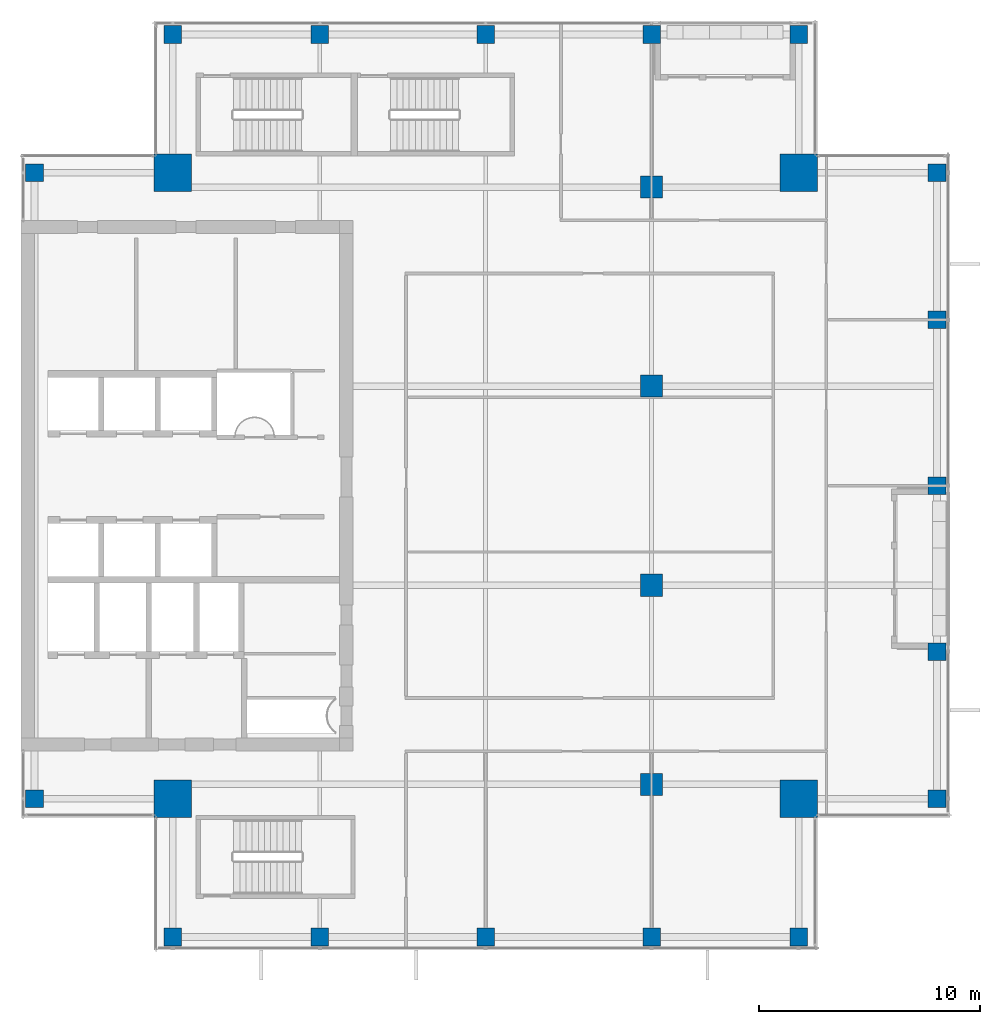
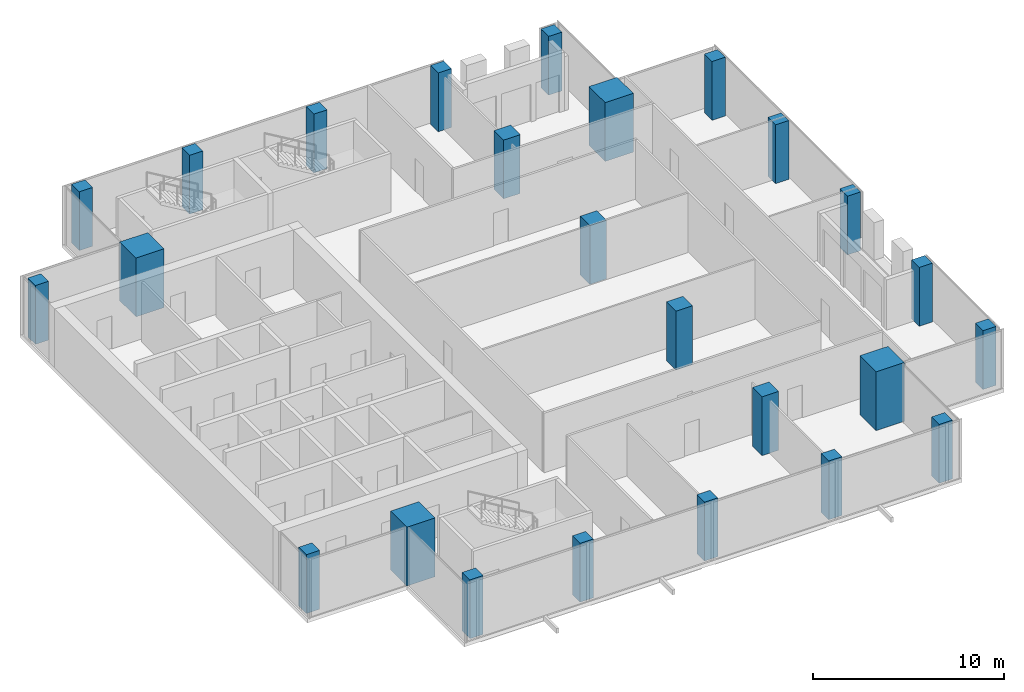
# One storey, part 1 of 29: 25 columns.
"""IFC4 building model written with IfcOpenShell, lengths in metres."""

from ifc_helpers import new_model, si_unit, direction, frame, origin, origin_2d, place, context, subcontext, project, spatial, rectangle, extrude, source, transform, mapped, material, material_profile, profile_set, type_object, element, save


model = new_model("IFC4")

# Units and contexts
model_context = context("Model", 3, precision=1e-05, world=origin(), true_north=direction((0.0, 1.0)))
body_context = subcontext(model_context, "Body", "Model", "MODEL_VIEW")
ifc_project = project(units=[si_unit("LENGTHUNIT", "METRE"), si_unit("AREAUNIT", "SQUARE_METRE"), si_unit("VOLUMEUNIT", "CUBIC_METRE"), si_unit("PLANEANGLEUNIT", "RADIAN"), si_unit("MASSUNIT", "GRAM", prefix="KILO")], contexts=[model_context])

# Site, building, storey
site_placement = place(None, origin())
site = spatial("IfcSite", under=ifc_project, at=site_placement, CompositionType="ELEMENT")
building_placement = place(site_placement, origin())
building = spatial("IfcBuilding", under=site, at=building_placement, Name="Khomas Fold Tower", CompositionType="ELEMENT")
storey_placement = place(building_placement, frame((0.0, 0.0, 290.199951171875)))
storey = spatial("IfcBuildingStorey", under=building, at=storey_placement, Name="L65", CompositionType="ELEMENT", Elevation=290.199951171875)

# Columns
ifc_material_1 = material(Name="Concrete C50/60", Category="concrete")
ifc_material_profile_1 = material_profile(ifc_material_1, rectangle(XDim=1.0, YDim=1.0, at=origin_2d()), Name="RC 1000x1000")
ifc_profile_set_1 = profile_set([ifc_material_profile_1], Name="Concrete C50/60")
column_type_1 = type_object("IfcColumnType", Name="RC 1000x1000 column", PredefinedType="COLUMN", material=ifc_profile_set_1)
shared_shape_1 = source(origin(), body_context, "Body", "SweptSolid", [
    extrude(rectangle(XDim=1.0, YDim=1.0, at=origin_2d()), origin(), (0.0, 0.0, 1.0), 3.75),
])
for number, where, z_axis, x_axis, name in (
    (1, (34.5, 13.5, 0.0), (0.0, 0.0, 1.0), (1.0, 0.0, 0.0), "C-10-H"),
    (2, (34.5, 22.5, 0.0), (0.0, 0.0, 1.0), (1.0, 0.0, 0.0), "C-10-K"),
    (3, (34.5, 31.5, 0.0), (0.0, 0.0, 1.0), (1.0, 0.0, 0.0), "C-10-M"),
    (4, (34.5, 40.5, 0.0), (0.0, 0.0, 1.0), (1.0, 0.0, 0.0), "C-10-P"),
):
    element("IfcColumn", number, at=place(storey_placement, frame(where, z_axis=z_axis, x_axis=x_axis)), inside=storey, type_object=column_type_1, Name=name, PredefinedType="COLUMN", context=body_context, shape_type="MappedRepresentation", body=[
        mapped(shared_shape_1, transform((0.0, 0.0, 0.0))),
    ])
ifc_material_2 = material(Name="Concrete C60/75", Category="concrete")
ifc_material_profile_2 = material_profile(ifc_material_2, rectangle(XDim=1.699951171875, YDim=1.699951171875, at=origin_2d()), Name="RC 1700x1700")
ifc_profile_set_2 = profile_set([ifc_material_profile_2], Name="Concrete C60/75")
column_type_2 = type_object("IfcColumnType", Name="RC 1700x1700 column", PredefinedType="COLUMN", material=ifc_profile_set_2)
shared_shape_2 = source(origin(), body_context, "Body", "SweptSolid", [
    extrude(rectangle(XDim=1.699951171875, YDim=1.699951171875, at=origin_2d()), origin(), (0.0, 0.0, 1.0), 3.75),
])
for number, where, z_axis, x_axis, name in (
    (5, (41.14990234375, 41.14990234375, 0.0), (0.0, 0.0, 1.0), (1.0, 0.0, 0.0), "CM-NE"),
    (6, (12.85009765625, 41.14990234375, 0.0), (0.0, 0.0, 1.0), (1.0, 0.0, 0.0), "CM-NW"),
    (7, (41.14990234375, 12.85009765625, 0.0), (0.0, 0.0, 1.0), (1.0, 0.0, 0.0), "CM-SE"),
    (8, (12.85009765625, 12.85009765625, 0.0), (0.0, 0.0, 1.0), (1.0, 0.0, 0.0), "CM-SW"),
):
    element("IfcColumn", number, at=place(storey_placement, frame(where, z_axis=z_axis, x_axis=x_axis)), inside=storey, type_object=column_type_2, Name=name, PredefinedType="COLUMN", context=body_context, shape_type="MappedRepresentation", body=[
        mapped(shared_shape_2, transform((0.0, 0.0, 0.0))),
    ])
ifc_material_3 = material(Name="Concrete C50/60", Category="concrete")
ifc_material_profile_3 = material_profile(ifc_material_3, rectangle(XDim=0.800048828125, YDim=0.800048828125, at=origin_2d()), Name="RC 800x800")
ifc_profile_set_3 = profile_set([ifc_material_profile_3], Name="Concrete C50/60")
column_type_3 = type_object("IfcColumnType", Name="RC 800x800 column", PredefinedType="COLUMN", material=ifc_profile_set_3)
shared_shape_3 = source(origin(), body_context, "Body", "SweptSolid", [
    extrude(rectangle(XDim=0.800048828125, YDim=0.800048828125, at=origin_2d()), origin(), (0.0, 0.0, 1.0), 3.75),
])
for number, where, z_axis, x_axis, name in (
    (9, (12.85009765625, 6.60009765625, 0.0), (0.0, 0.0, 1.0), (1.0, 0.0, 0.0), "C-7-SF5"),
    (10, (19.5, 6.60009765625, 0.0), (0.0, 0.0, 1.0), (1.0, 0.0, 0.0), "C-8-SF5"),
    (11, (27.0, 6.60009765625, 0.0), (0.0, 0.0, 1.0), (1.0, 0.0, 0.0), "C-9-SF5"),
    (12, (34.5, 6.60009765625, 0.0), (0.0, 0.0, 1.0), (1.0, 0.0, 0.0), "C-10-SF5"),
    (13, (41.14990234375, 6.60009765625, 0.0), (0.0, 0.0, 1.0), (1.0, 0.0, 0.0), "C-12-SF5"),
    (14, (47.39990234375, 12.85009765625, 0.0), (0.0, 0.0, 1.0), (1.0, 0.0, 0.0), "C-E5-G"),
    (15, (47.39990234375, 19.5, 0.0), (0.0, 0.0, 1.0), (1.0, 0.0, 0.0), "C-E5-J"),
    (16, (47.39990234375, 27.0, 0.0), (0.0, 0.0, 1.0), (1.0, 0.0, 0.0), "C-E5-L"),
    (17, (47.39990234375, 34.5, 0.0), (0.0, 0.0, 1.0), (1.0, 0.0, 0.0), "C-E5-N"),
    (18, (47.39990234375, 41.14990234375, 0.0), (0.0, 0.0, 1.0), (1.0, 0.0, 0.0), "C-E5-Q"),
    (19, (12.85009765625, 47.39990234375, 0.0), (0.0, 0.0, 1.0), (1.0, 0.0, 0.0), "C-7-NF5"),
    (20, (19.5, 47.39990234375, 0.0), (0.0, 0.0, 1.0), (1.0, 0.0, 0.0), "C-8-NF5"),
    (21, (27.0, 47.39990234375, 0.0), (0.0, 0.0, 1.0), (1.0, 0.0, 0.0), "C-9-NF5"),
    (22, (34.5, 47.39990234375, 0.0), (0.0, 0.0, 1.0), (1.0, 0.0, 0.0), "C-10-NF5"),
    (23, (41.14990234375, 47.39990234375, 0.0), (0.0, 0.0, 1.0), (1.0, 0.0, 0.0), "C-12-NF5"),
    (24, (6.60009765625, 12.85009765625, 0.0), (0.0, 0.0, 1.0), (1.0, 0.0, 0.0), "C-W5-G"),
    (25, (6.60009765625, 41.14990234375, 0.0), (0.0, 0.0, 1.0), (1.0, 0.0, 0.0), "C-W5-Q"),
):
    element("IfcColumn", number, at=place(storey_placement, frame(where, z_axis=z_axis, x_axis=x_axis)), inside=storey, type_object=column_type_3, Name=name, PredefinedType="COLUMN", context=body_context, shape_type="MappedRepresentation", body=[
        mapped(shared_shape_3, transform((0.0, 0.0, 0.0))),
    ])

save(model, "model.ifc")
